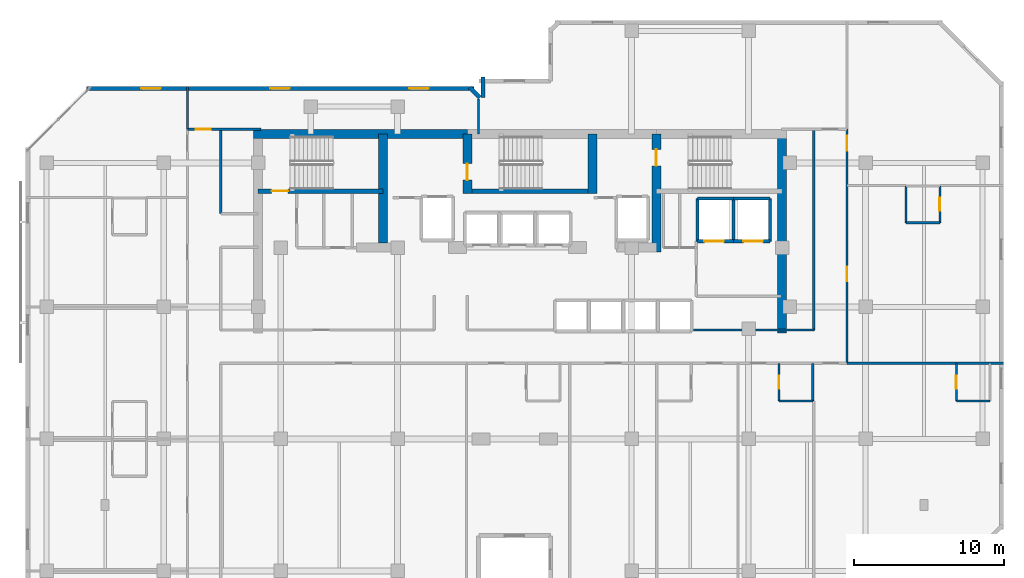
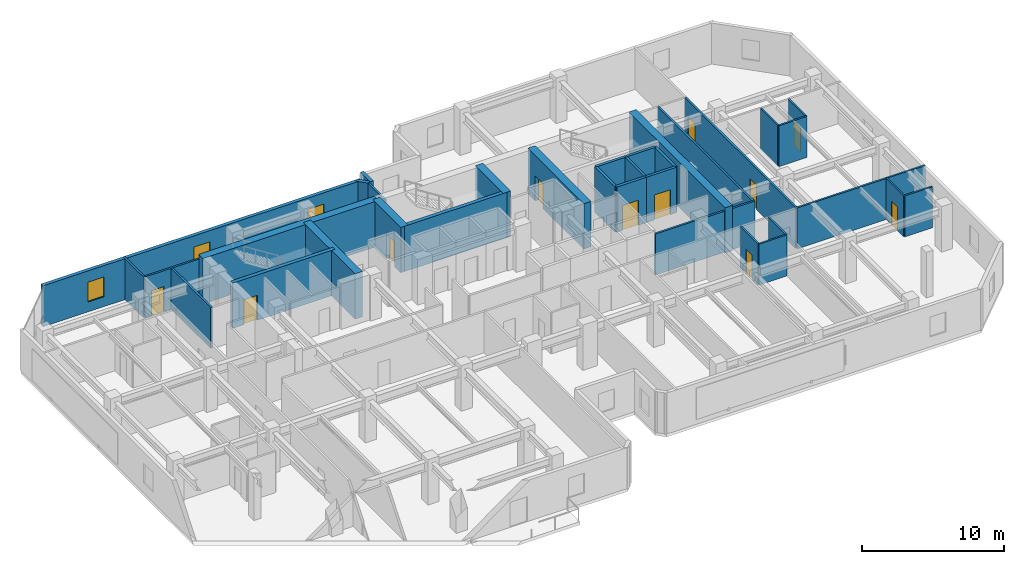
# One storey, part 7 of 10: 34 walls, 11 doors, 3 windows, 14 openings.
"""IFC4 building model written with IfcOpenShell, lengths in metres."""

from ifc_helpers import new_model, si_unit, direction, frame, frame_2d, origin, place, context, subcontext, project, spatial, rectangle, extrude, material, layer, layer_set, type_object, element, fill, save


model = new_model("IFC4")

# Units and contexts
model_context = context("Model", 3, precision=1e-05, world=origin(), true_north=direction((0.0, 1.0)))
body_context = subcontext(model_context, "Body", "Model", "MODEL_VIEW")
ifc_project = project(units=[si_unit("LENGTHUNIT", "METRE"), si_unit("AREAUNIT", "SQUARE_METRE"), si_unit("VOLUMEUNIT", "CUBIC_METRE"), si_unit("PLANEANGLEUNIT", "RADIAN"), si_unit("MASSUNIT", "GRAM", prefix="KILO")], contexts=[model_context])

# Site, building, storey
site_placement = place(None, origin())
site = spatial("IfcSite", under=ifc_project, at=site_placement, CompositionType="ELEMENT")
building_placement = place(site_placement, origin())
building = spatial("IfcBuilding", under=site, at=building_placement, Name="Kestravale Grand Hotel", CompositionType="ELEMENT")
storey_placement = place(building_placement, frame((0.0, 0.0, 236.5)))
storey = spatial("IfcBuildingStorey", under=building, at=storey_placement, Name="L59", CompositionType="ELEMENT", Elevation=236.5)

# Walls
ifc_material_1 = material(Name="Concrete f'c 50 MPa", Category="concrete")
ifc_layer_1 = layer(ifc_material_1, 0.60009765625)
ifc_layer_set_1 = layer_set([ifc_layer_1], Name="EW-CORE-600")
wall_type_1 = type_object("IfcWallType", Name="EW-CORE-600", PredefinedType="SHEAR", material=ifc_layer_set_1)
wall_1_placement = place(storey_placement, frame((21.60009765625, 40.320068359375, 0.0), z_axis=(0.0, 0.0, 1.0), x_axis=(1.0, 0.0, 0.0)))
element("IfcWall", 1, at=wall_1_placement, inside=storey, type_object=wall_type_1, Name="L59 core shear wall N1", PredefinedType="SHEAR", context=body_context, shape_type="SweptSolid", body=[
    extrude(rectangle(XDim=14.25, YDim=0.60009765625, at=frame_2d((7.125, 0.0))), origin(), (0.0, 0.0, 1.0), 3.89990234375),
])
wall_2_placement = place(storey_placement, frame((56.820068359375, 27.050048828125, 0.0), z_axis=(0.0, 0.0, 1.0), x_axis=(0.0, 1.0, 0.0)))
element("IfcWall", 2, at=wall_2_placement, inside=storey, type_object=wall_type_1, Name="L59 core shear wall E1", PredefinedType="SHEAR", context=body_context, shape_type="SweptSolid", body=[
    extrude(rectangle(XDim=13.570068359375, YDim=0.60009765625, at=frame_2d((6.78515625, 0.0))), origin(), (0.0, 0.0, 1.0), 3.89990234375),
])
wall_3_placement = place(storey_placement, frame((30.219970703125, 33.050048828125, 0.0), z_axis=(0.0, 0.0, 1.0), x_axis=(0.0, 1.0, 0.0)))
element("IfcWall", 3, at=wall_3_placement, inside=storey, type_object=wall_type_1, Name="L59 core shear wall X1", PredefinedType="SHEAR", context=body_context, shape_type="SweptSolid", body=[
    extrude(rectangle(XDim=7.27001953125, YDim=0.60009765625, at=frame_2d((3.635009765625, 0.0))), origin(), (0.0, 0.0, 1.0), 3.89990234375),
])

# Wall, opening, door
wall_4_placement = place(storey_placement, frame((35.85009765625, 36.3701171875, 0.0), z_axis=(0.0, 0.0, 1.0), x_axis=(0.0, 1.0, 0.0)))
wall_4 = element("IfcWall", 4, at=wall_4_placement, inside=storey, type_object=wall_type_1, Name="L59 core shear wall X2", PredefinedType="SHEAR", context=body_context, shape_type="SweptSolid", body=[
    extrude(rectangle(XDim=3.949951171875, YDim=0.60009765625, at=frame_2d((1.97509765625, 0.0))), origin(), (0.0, 0.0, 1.0), 3.89990234375),
])
opening_1_placement = place(wall_4_placement, frame((0.8798828125, 0.0, 0.0)))
opening_1 = element("IfcOpeningElement", 5, at=opening_1_placement, cuts=wall_4, Name="Opening D-ST-1100", PredefinedType="OPENING", context=body_context, shape_type="SweptSolid", body=[
    extrude(rectangle(XDim=1.10009765625, YDim=2.14990234375, at=frame_2d((0.550048828125, 1.074951171875))), frame((0.0, 0.31005859375, 0.0), z_axis=(0.0, -1.0, 0.0), x_axis=(1.0, 0.0, 0.0)), (0.0, 0.0, 1.0), 0.6201171875),
])
ifc_material_2 = material(Name="Galvanised 90-minute fire-rated steel stair door", Category="steel")
door_type_1 = type_object("IfcDoorType", Name="D-ST-1100", OperationType="NOTDEFINED", PredefinedType="DOOR", material=ifc_material_2)
door_1_placement = place(opening_1_placement, origin())
door_1 = element("IfcDoor", 6, at=door_1_placement, inside=storey, type_object=door_type_1, Name="L59 Stair ST-2 FSAE fire door", OperationType="SINGLE_SWING_RIGHT", OverallHeight=2.14990234375, OverallWidth=1.10009765625, PredefinedType="DOOR", context=body_context, shape_type="SweptSolid", body=[
    extrude(rectangle(XDim=1.10009765625, YDim=2.14990234375, at=frame_2d((0.550048828125, 1.074951171875))), frame((0.0, 0.02490234375, 0.0), z_axis=(0.0, -1.0, 0.0), x_axis=(1.0, 0.0, 0.0)), (0.0, 0.0, 1.0), 0.050048828125),
])
fill(opening_1, door_1)

# Wall
wall_5_placement = place(storey_placement, frame((44.179931640625, 36.3701171875, 0.0), z_axis=(0.0, 0.0, 1.0), x_axis=(0.0, 1.0, 0.0)))
element("IfcWall", 7, at=wall_5_placement, inside=storey, type_object=wall_type_1, Name="L59 core shear wall X3", PredefinedType="SHEAR", context=body_context, shape_type="SweptSolid", body=[
    extrude(rectangle(XDim=3.949951171875, YDim=0.60009765625, at=frame_2d((1.97509765625, 0.0))), origin(), (0.0, 0.0, 1.0), 3.89990234375),
])

# Wall, opening, door
wall_6_placement = place(storey_placement, frame((48.449951171875, 32.449951171875, 0.0), z_axis=(0.0, 0.0, 1.0), x_axis=(0.0, 1.0, 0.0)))
wall_6 = element("IfcWall", 8, at=wall_6_placement, inside=storey, type_object=wall_type_1, Name="L59 core shear wall X4", PredefinedType="SHEAR", context=body_context, shape_type="SweptSolid", body=[
    extrude(rectangle(XDim=7.8701171875, YDim=0.60009765625, at=frame_2d((3.93505859375, 0.0))), origin(), (0.0, 0.0, 1.0), 3.89990234375),
])
opening_2_placement = place(wall_6_placement, frame((5.75, 0.0, 0.0)))
opening_2 = element("IfcOpeningElement", 9, at=opening_2_placement, cuts=wall_6, Name="Opening D-ST-1100", PredefinedType="OPENING", context=body_context, shape_type="SweptSolid", body=[
    extrude(rectangle(XDim=1.10009765625, YDim=2.14990234375, at=frame_2d((0.550048828125, 1.074951171875))), frame((0.0, 0.31005859375, 0.0), z_axis=(0.0, -1.0, 0.0), x_axis=(1.0, 0.0, 0.0)), (0.0, 0.0, 1.0), 0.6201171875),
])
door_2_placement = place(opening_2_placement, origin())
door_2 = element("IfcDoor", 10, at=door_2_placement, inside=storey, type_object=door_type_1, Name="L59 Stair ST-3 FSAE fire door", OperationType="SINGLE_SWING_RIGHT", OverallHeight=2.14990234375, OverallWidth=1.10009765625, PredefinedType="DOOR", context=body_context, shape_type="SweptSolid", body=[
    extrude(rectangle(XDim=1.10009765625, YDim=2.14990234375, at=frame_2d((0.550048828125, 1.074951171875))), frame((0.0, 0.02490234375, 0.0), z_axis=(0.0, -1.0, 0.0), x_axis=(1.0, 0.0, 0.0)), (0.0, 0.0, 1.0), 0.050048828125),
])
fill(opening_2, door_2)

# Walls
ifc_material_3 = material(Name="Precast concrete f'c 45 MPa", Category="concrete")
ifc_layer_2 = layer(ifc_material_3, 0.280029296875)
ifc_layer_set_2 = layer_set([ifc_layer_2], Name="EW-PREC-280")
wall_type_2 = type_object("IfcWallType", Name="EW-PREC-280", PredefinedType="SOLIDWALL", material=ifc_layer_set_2)
wall_7_placement = place(storey_placement, frame((36.889892578125, 44.139892578125, 0.0), z_axis=(0.0, 0.0, 1.0), x_axis=(0.0, -1.0, 0.0)))
element("IfcWall", 11, at=wall_7_placement, inside=storey, type_object=wall_type_2, Name="L59 fluted precast facade wall 15", PredefinedType="SOLIDWALL", context=body_context, shape_type="SweptSolid", body=[
    extrude(rectangle(XDim=1.3798828125, YDim=0.280029296875, at=frame_2d((0.68994140625, 0.0))), origin(), (0.0, 0.0, 1.0), 3.52001953125),
])
wall_8_placement = place(storey_placement, frame((36.67919921875, 42.772705078125, 0.0), z_axis=(0.0, 0.0, 1.0), x_axis=(-0.707106781187, 0.707106781187, 0.0)))
element("IfcWall", 12, at=wall_8_placement, inside=storey, type_object=wall_type_2, Name="L59 fluted precast facade wall 16", PredefinedType="SOLIDWALL", context=body_context, shape_type="SweptSolid", body=[
    extrude(rectangle(XDim=0.928466796875, YDim=0.280029296875, at=frame_2d((0.46435546875, 0.0))), origin(), (0.0, 0.0, 1.0), 3.52001953125),
])

# Wall, openings, windows
wall_9_placement = place(storey_placement, frame((36.2900390625, 43.360107421875, 0.0), z_axis=(0.0, 0.0, 1.0), x_axis=(-1.0, 0.0, 0.0)))
wall_9 = element("IfcWall", 13, at=wall_9_placement, inside=storey, type_object=wall_type_2, Name="L59 fluted precast facade wall 17", PredefinedType="SOLIDWALL", context=body_context, shape_type="SweptSolid", body=[
    extrude(rectangle(XDim=25.830078125, YDim=0.280029296875, at=frame_2d((12.9150390625, 0.0))), origin(), (0.0, 0.0, 1.0), 3.52001953125),
])
opening_3_placement = place(wall_9_placement, frame((3.0048828125, 0.0, 0.85009765625)))
opening_3 = element("IfcOpeningElement", 14, at=opening_3_placement, cuts=wall_9, Name="Opening W-GUEST-1300", PredefinedType="OPENING", context=body_context, shape_type="SweptSolid", body=[
    extrude(rectangle(XDim=1.300048828125, YDim=1.699951171875, at=frame_2d((0.64990234375, 0.85009765625))), frame((0.0, 0.14990234375, 0.0), z_axis=(0.0, -1.0, 0.0), x_axis=(1.0, 0.0, 0.0)), (0.0, 0.0, 1.0), 0.300048828125),
])
opening_4_placement = place(wall_9_placement, frame((12.264892578125, 0.0, 0.85009765625)))
opening_4 = element("IfcOpeningElement", 15, at=opening_4_placement, cuts=wall_9, Name="Opening W-GUEST-1300", PredefinedType="OPENING", context=body_context, shape_type="SweptSolid", body=[
    extrude(rectangle(XDim=1.300048828125, YDim=1.699951171875, at=frame_2d((0.64990234375, 0.85009765625))), frame((0.0, 0.14990234375, 0.0), z_axis=(0.0, -1.0, 0.0), x_axis=(1.0, 0.0, 0.0)), (0.0, 0.0, 1.0), 0.300048828125),
])
opening_5_placement = place(wall_9_placement, frame((20.875, 0.0, 0.85009765625)))
opening_5 = element("IfcOpeningElement", 16, at=opening_5_placement, cuts=wall_9, Name="Opening W-GUEST-1300", PredefinedType="OPENING", context=body_context, shape_type="SweptSolid", body=[
    extrude(rectangle(XDim=1.300048828125, YDim=1.699951171875, at=frame_2d((0.64990234375, 0.85009765625))), frame((0.0, 0.14990234375, 0.0), z_axis=(0.0, -1.0, 0.0), x_axis=(1.0, 0.0, 0.0)), (0.0, 0.0, 1.0), 0.300048828125),
])
ifc_material_4 = material(Name="Insulated low-E double glazing in aluminium frame", Category="aluminium")
window_type = type_object("IfcWindowType", Name="W-GUEST-1300", PartitioningType="SINGLE_PANEL", PredefinedType="WINDOW", material=ifc_material_4)
window_1_placement = place(opening_3_placement, origin())
window_1 = element("IfcWindow", 17, at=window_1_placement, inside=storey, type_object=window_type, Name="L59 exterior window 17.1", OverallHeight=1.699951171875, OverallWidth=1.300048828125, PartitioningType="SINGLE_PANEL", PredefinedType="WINDOW", context=body_context, shape_type="SweptSolid", body=[
    extrude(rectangle(XDim=1.300048828125, YDim=1.699951171875, at=frame_2d((0.64990234375, 0.85009765625))), frame((0.0, 0.030029296875, 0.0), z_axis=(0.0, -1.0, 0.0), x_axis=(1.0, 0.0, 0.0)), (0.0, 0.0, 1.0), 0.06005859375),
])
fill(opening_3, window_1)
window_2_placement = place(opening_4_placement, origin())
window_2 = element("IfcWindow", 18, at=window_2_placement, inside=storey, type_object=window_type, Name="L59 exterior window 17.2", OverallHeight=1.699951171875, OverallWidth=1.300048828125, PartitioningType="SINGLE_PANEL", PredefinedType="WINDOW", context=body_context, shape_type="SweptSolid", body=[
    extrude(rectangle(XDim=1.300048828125, YDim=1.699951171875, at=frame_2d((0.64990234375, 0.85009765625))), frame((0.0, 0.030029296875, 0.0), z_axis=(0.0, -1.0, 0.0), x_axis=(1.0, 0.0, 0.0)), (0.0, 0.0, 1.0), 0.06005859375),
])
fill(opening_4, window_2)
window_3_placement = place(opening_5_placement, origin())
window_3 = element("IfcWindow", 19, at=window_3_placement, inside=storey, type_object=window_type, Name="L59 exterior window 17.3", OverallHeight=1.699951171875, OverallWidth=1.300048828125, PartitioningType="SINGLE_PANEL", PredefinedType="WINDOW", context=body_context, shape_type="SweptSolid", body=[
    extrude(rectangle(XDim=1.300048828125, YDim=1.699951171875, at=frame_2d((0.64990234375, 0.85009765625))), frame((0.0, 0.030029296875, 0.0), z_axis=(0.0, -1.0, 0.0), x_axis=(1.0, 0.0, 0.0)), (0.0, 0.0, 1.0), 0.06005859375),
])
fill(opening_5, window_3)

# Wall, opening, door
ifc_material_5 = material(Name="Concrete f'c 45 MPa", Category="concrete")
ifc_layer_3 = layer(ifc_material_5, 0.300048828125)
ifc_layer_set_3 = layer_set([ifc_layer_3], Name="EW-STAIR-300")
wall_type_3 = type_object("IfcWallType", Name="EW-STAIR-300", PredefinedType="SHEAR", material=ifc_layer_set_3)
wall_10_placement = place(storey_placement, frame((21.89990234375, 36.52001953125, 0.0), z_axis=(0.0, 0.0, 1.0), x_axis=(1.0, 0.0, 0.0)))
wall_10 = element("IfcWall", 20, at=wall_10_placement, inside=storey, type_object=wall_type_3, Name="L59 stair enclosure shear wall SST1", PredefinedType="SHEAR", context=body_context, shape_type="SweptSolid", body=[
    extrude(rectangle(XDim=8.320068359375, YDim=0.300048828125, at=frame_2d((4.16015625, 0.0))), origin(), (0.0, 0.0, 1.0), 3.89990234375),
])
opening_6_placement = place(wall_10_placement, frame((0.89990234375, 0.0, 0.0)))
opening_6 = element("IfcOpeningElement", 21, at=opening_6_placement, cuts=wall_10, Name="Opening D-ST-1100", PredefinedType="OPENING", context=body_context, shape_type="SweptSolid", body=[
    extrude(rectangle(XDim=1.10009765625, YDim=2.14990234375, at=frame_2d((0.550048828125, 1.074951171875))), frame((0.0, 0.159912109375, 0.0), z_axis=(0.0, -1.0, 0.0), x_axis=(1.0, 0.0, 0.0)), (0.0, 0.0, 1.0), 0.320068359375),
])
door_3_placement = place(opening_6_placement, origin())
door_3 = element("IfcDoor", 22, at=door_3_placement, inside=storey, type_object=door_type_1, Name="L59 Stair ST-1 fire door", OperationType="SINGLE_SWING_RIGHT", OverallHeight=2.14990234375, OverallWidth=1.10009765625, PredefinedType="DOOR", context=body_context, shape_type="SweptSolid", body=[
    extrude(rectangle(XDim=1.10009765625, YDim=2.14990234375, at=frame_2d((0.550048828125, 1.074951171875))), frame((0.0, 0.02490234375, 0.0), z_axis=(0.0, -1.0, 0.0), x_axis=(1.0, 0.0, 0.0)), (0.0, 0.0, 1.0), 0.050048828125),
])
fill(opening_6, door_3)

# Walls
wall_11_placement = place(storey_placement, frame((35.85009765625, 36.52001953125, 0.0), z_axis=(0.0, 0.0, 1.0), x_axis=(1.0, 0.0, 0.0)))
element("IfcWall", 23, at=wall_11_placement, inside=storey, type_object=wall_type_3, Name="L59 stair enclosure shear wall SST2", PredefinedType="SHEAR", context=body_context, shape_type="SweptSolid", body=[
    extrude(rectangle(XDim=8.329833984375, YDim=0.300048828125, at=frame_2d((4.1650390625, 0.0))), origin(), (0.0, 0.0, 1.0), 3.89990234375),
])
ifc_material_6 = material(Name="Acoustic fire-rated gypsum board partition", Category="other")
ifc_layer_4 = layer(ifc_material_6, 0.159912109375)
ifc_layer_set_4 = layer_set([ifc_layer_4], Name="IW-CORR-160")
wall_type_4 = type_object("IfcWallType", Name="IW-CORR-160", PredefinedType="PARTITIONING", material=ifc_layer_set_4)
wall_12_placement = place(storey_placement, frame((50.919921875, 27.260009765625, 0.0), z_axis=(0.0, 0.0, 1.0), x_axis=(1.0, 0.0, 0.0)))
element("IfcWall", 24, at=wall_12_placement, inside=storey, type_object=wall_type_4, Name="W-L59-CE-NE", PredefinedType="PARTITIONING", context=body_context, shape_type="SweptSolid", body=[
    extrude(rectangle(XDim=8.080078125, YDim=0.159912109375, at=frame_2d((4.0400390625, 0.0))), origin(), (0.0, 0.0, 1.0), 3.52001953125),
])
wall_13_placement = place(storey_placement, frame((19.409912109375, 35.02001953125, 0.0), z_axis=(0.0, 0.0, 1.0), x_axis=(0.0, 1.0, 0.0)))
element("IfcWall", 25, at=wall_13_placement, inside=storey, type_object=wall_type_4, Name="W-L59-SW-EN", PredefinedType="PARTITIONING", context=body_context, shape_type="SweptSolid", body=[
    extrude(rectangle(XDim=5.6298828125, YDim=0.159912109375, at=frame_2d((2.81494140625, 0.0))), origin(), (0.0, 0.0, 1.0), 3.52001953125),
])

# Wall, openings, doors
wall_14_placement = place(storey_placement, frame((61.159912109375, 25.10009765625, 0.0), z_axis=(0.0, 0.0, 1.0), x_axis=(0.0, 1.0, 0.0)))
wall_14 = element("IfcWall", 26, at=wall_14_placement, inside=storey, type_object=wall_type_4, Name="W-L59-SE-E", PredefinedType="PARTITIONING", context=body_context, shape_type="SweptSolid", body=[
    extrude(rectangle(XDim=15.5498046875, YDim=0.159912109375, at=frame_2d((7.77490234375, 0.0))), origin(), (0.0, 0.0, 1.0), 3.52001953125),
])
opening_7_placement = place(wall_14_placement, frame((5.425048828125, 0.0, 0.0)))
opening_7 = element("IfcOpeningElement", 27, at=opening_7_placement, cuts=wall_14, Name="Opening D-GUEST-950", PredefinedType="OPENING", context=body_context, shape_type="SweptSolid", body=[
    extrude(rectangle(XDim=0.949951171875, YDim=2.10009765625, at=frame_2d((0.47509765625, 1.050048828125))), frame((0.0, 0.08984375, 0.0), z_axis=(0.0, -1.0, 0.0), x_axis=(1.0, 0.0, 0.0)), (0.0, 0.0, 1.0), 0.179931640625),
])
opening_8_placement = place(wall_14_placement, frame((14.110107421875, 0.0, 0.0)))
opening_8 = element("IfcOpeningElement", 28, at=opening_8_placement, cuts=wall_14, Name="Opening D-GUEST-1000", PredefinedType="OPENING", context=body_context, shape_type="SweptSolid", body=[
    extrude(rectangle(XDim=1.0, YDim=2.14990234375, at=frame_2d((0.5, 1.074951171875))), frame((0.0, 0.08984375, 0.0), z_axis=(0.0, -1.0, 0.0), x_axis=(1.0, 0.0, 0.0)), (0.0, 0.0, 1.0), 0.179931640625),
])
ifc_material_7 = material(Name="Accessible walnut veneer hotel entrance fire door", Category="wood")
door_type_2 = type_object("IfcDoorType", Name="D-GUEST-1000", OperationType="NOTDEFINED", PredefinedType="DOOR", material=ifc_material_7)
door_4_placement = place(opening_8_placement, origin())
door_4 = element("IfcDoor", 29, at=door_4_placement, inside=storey, type_object=door_type_2, Name="D-L59-AMEW", OperationType="SINGLE_SWING_LEFT", OverallHeight=2.14990234375, OverallWidth=1.0, PredefinedType="DOOR", context=body_context, shape_type="SweptSolid", body=[
    extrude(rectangle(XDim=1.0, YDim=2.14990234375, at=frame_2d((0.5, 1.074951171875))), frame((0.0, 0.02490234375, 0.0), z_axis=(0.0, -1.0, 0.0), x_axis=(1.0, 0.0, 0.0)), (0.0, 0.0, 1.0), 0.050048828125),
])
fill(opening_8, door_4)
ifc_material_8 = material(Name="Walnut veneer hotel guestroom entrance fire door", Category="wood")
door_type_3 = type_object("IfcDoorType", Name="D-GUEST-950", OperationType="NOTDEFINED", PredefinedType="DOOR", material=ifc_material_8)
door_5_placement = place(opening_7_placement, origin())
door_5 = element("IfcDoor", 30, at=door_5_placement, inside=storey, type_object=door_type_3, Name="D-L59-U09-ENT", OperationType="SINGLE_SWING_RIGHT", OverallHeight=2.10009765625, OverallWidth=0.949951171875, PredefinedType="DOOR", context=body_context, shape_type="SweptSolid", body=[
    extrude(rectangle(XDim=0.949951171875, YDim=2.10009765625, at=frame_2d((0.47509765625, 1.050048828125))), frame((0.0, 0.02490234375, 0.0), z_axis=(0.0, -1.0, 0.0), x_axis=(1.0, 0.0, 0.0)), (0.0, 0.0, 1.0), 0.050048828125),
])
fill(opening_7, door_5)

# Wall
wall_15_placement = place(storey_placement, frame((58.93994140625, 27.260009765625, 0.0), z_axis=(0.0, 0.0, 1.0), x_axis=(0.0, 1.0, 0.0)))
element("IfcWall", 31, at=wall_15_placement, inside=storey, type_object=wall_type_4, Name="W-L59-SE-WU", PredefinedType="PARTITIONING", context=body_context, shape_type="SweptSolid", body=[
    extrude(rectangle(XDim=13.389892578125, YDim=0.159912109375, at=frame_2d((6.69482421875, 0.0))), origin(), (0.0, 0.0, 1.0), 3.52001953125),
])

# Wall, opening, door
ifc_material_9 = material(Name="Moisture-resistant tile-backer plumbing chase wall", Category="other")
ifc_layer_5 = layer(ifc_material_9, 0.139892578125)
ifc_layer_set_5 = layer_set([ifc_layer_5], Name="IW-PLB-140")
wall_type_5 = type_object("IfcWallType", Name="IW-PLB-140", PredefinedType="PLUMBINGWALL", material=ifc_layer_set_5)
wall_16_placement = place(storey_placement, frame((56.6298828125, 22.530029296875, 0.0), z_axis=(0.0, 0.0, 1.0), x_axis=(0.0, 1.0, 0.0)))
wall_16 = element("IfcWall", 32, at=wall_16_placement, inside=storey, type_object=wall_type_5, Name="W-L59-U03-BW", PredefinedType="PLUMBINGWALL", context=body_context, shape_type="SweptSolid", body=[
    extrude(rectangle(XDim=2.489990234375, YDim=0.139892578125, at=frame_2d((1.2451171875, 0.0))), origin(), (0.0, 0.0, 1.0), 3.52001953125),
])
opening_9_placement = place(wall_16_placement, frame((0.804931640625, 0.0, 0.0)))
opening_9 = element("IfcOpeningElement", 33, at=opening_9_placement, cuts=wall_16, Name="Opening D-BATH-880", PredefinedType="OPENING", context=body_context, shape_type="SweptSolid", body=[
    extrude(rectangle(XDim=0.8798828125, YDim=2.050048828125, at=frame_2d((0.43994140625, 1.02490234375))), frame((0.0, 0.079833984375, 0.0), z_axis=(0.0, -1.0, 0.0), x_axis=(1.0, 0.0, 0.0)), (0.0, 0.0, 1.0), 0.159912109375),
])
ifc_material_10 = material(Name="Moisture-sealed walnut en-suite bathroom door", Category="wood")
door_type_4 = type_object("IfcDoorType", Name="D-BATH-880", OperationType="NOTDEFINED", PredefinedType="DOOR", material=ifc_material_10)
door_6_placement = place(opening_9_placement, origin())
door_6 = element("IfcDoor", 34, at=door_6_placement, inside=storey, type_object=door_type_4, Name="D-L59-U03-BATH", OperationType="SINGLE_SWING_RIGHT", OverallHeight=2.050048828125, OverallWidth=0.8798828125, PredefinedType="DOOR", context=body_context, shape_type="SweptSolid", body=[
    extrude(rectangle(XDim=0.8798828125, YDim=2.050048828125, at=frame_2d((0.43994140625, 1.02490234375))), frame((0.0, 0.02490234375, 0.0), z_axis=(0.0, -1.0, 0.0), x_axis=(1.0, 0.0, 0.0)), (0.0, 0.0, 1.0), 0.050048828125),
])
fill(opening_9, door_6)

# Walls
wall_17_placement = place(storey_placement, frame((58.8798828125, 22.530029296875, 0.0), z_axis=(0.0, 0.0, 1.0), x_axis=(0.0, 1.0, 0.0)))
element("IfcWall", 35, at=wall_17_placement, inside=storey, type_object=wall_type_5, Name="W-L59-U03-BE", PredefinedType="PLUMBINGWALL", context=body_context, shape_type="SweptSolid", body=[
    extrude(rectangle(XDim=2.489990234375, YDim=0.139892578125, at=frame_2d((1.2451171875, 0.0))), origin(), (0.0, 0.0, 1.0), 3.52001953125),
])
wall_18_placement = place(storey_placement, frame((56.6298828125, 22.530029296875, 0.0), z_axis=(0.0, 0.0, 1.0), x_axis=(1.0, 0.0, 0.0)))
element("IfcWall", 36, at=wall_18_placement, inside=storey, type_object=wall_type_5, Name="W-L59-U03-BS", PredefinedType="PLUMBINGWALL", context=body_context, shape_type="SweptSolid", body=[
    extrude(rectangle(XDim=2.25, YDim=0.139892578125, at=frame_2d((1.125, 0.0))), origin(), (0.0, 0.0, 1.0), 3.52001953125),
])

# Wall, opening, door
wall_19_placement = place(storey_placement, frame((68.449951171875, 22.530029296875, 0.0), z_axis=(0.0, 0.0, 1.0), x_axis=(0.0, 1.0, 0.0)))
wall_19 = element("IfcWall", 37, at=wall_19_placement, inside=storey, type_object=wall_type_5, Name="W-L59-U08-BW", PredefinedType="PLUMBINGWALL", context=body_context, shape_type="SweptSolid", body=[
    extrude(rectangle(XDim=2.489990234375, YDim=0.139892578125, at=frame_2d((1.2451171875, 0.0))), origin(), (0.0, 0.0, 1.0), 3.52001953125),
])
opening_10_placement = place(wall_19_placement, frame((0.804931640625, 0.0, 0.0)))
opening_10 = element("IfcOpeningElement", 38, at=opening_10_placement, cuts=wall_19, Name="Opening D-BATH-880", PredefinedType="OPENING", context=body_context, shape_type="SweptSolid", body=[
    extrude(rectangle(XDim=0.8798828125, YDim=2.050048828125, at=frame_2d((0.43994140625, 1.02490234375))), frame((0.0, 0.079833984375, 0.0), z_axis=(0.0, -1.0, 0.0), x_axis=(1.0, 0.0, 0.0)), (0.0, 0.0, 1.0), 0.159912109375),
])
door_7_placement = place(opening_10_placement, origin())
door_7 = element("IfcDoor", 39, at=door_7_placement, inside=storey, type_object=door_type_4, Name="D-L59-U08-BATH", OperationType="SINGLE_SWING_LEFT", OverallHeight=2.050048828125, OverallWidth=0.8798828125, PredefinedType="DOOR", context=body_context, shape_type="SweptSolid", body=[
    extrude(rectangle(XDim=0.8798828125, YDim=2.050048828125, at=frame_2d((0.43994140625, 1.02490234375))), frame((0.0, 0.02490234375, 0.0), z_axis=(0.0, -1.0, 0.0), x_axis=(1.0, 0.0, 0.0)), (0.0, 0.0, 1.0), 0.050048828125),
])
fill(opening_10, door_7)

# Walls
wall_20_placement = place(storey_placement, frame((68.449951171875, 22.530029296875, 0.0), z_axis=(0.0, 0.0, 1.0), x_axis=(1.0, 0.0, 0.0)))
element("IfcWall", 40, at=wall_20_placement, inside=storey, type_object=wall_type_5, Name="W-L59-U08-BS", PredefinedType="PLUMBINGWALL", context=body_context, shape_type="SweptSolid", body=[
    extrude(rectangle(XDim=2.25, YDim=0.139892578125, at=frame_2d((1.125, 0.0))), origin(), (0.0, 0.0, 1.0), 3.52001953125),
])
wall_21_placement = place(storey_placement, frame((65.10009765625, 34.409912109375, 0.0), z_axis=(0.0, 0.0, 1.0), x_axis=(0.0, 1.0, 0.0)))
element("IfcWall", 41, at=wall_21_placement, inside=storey, type_object=wall_type_5, Name="W-L59-U09-BW", PredefinedType="PLUMBINGWALL", context=body_context, shape_type="SweptSolid", body=[
    extrude(rectangle(XDim=2.4501953125, YDim=0.139892578125, at=frame_2d((1.22509765625, 0.0))), origin(), (0.0, 0.0, 1.0), 3.52001953125),
])

# Wall, opening, door
wall_22_placement = place(storey_placement, frame((67.35009765625, 34.409912109375, 0.0), z_axis=(0.0, 0.0, 1.0), x_axis=(0.0, 1.0, 0.0)))
wall_22 = element("IfcWall", 42, at=wall_22_placement, inside=storey, type_object=wall_type_5, Name="W-L59-U09-BE", PredefinedType="PLUMBINGWALL", context=body_context, shape_type="SweptSolid", body=[
    extrude(rectangle(XDim=2.4501953125, YDim=0.139892578125, at=frame_2d((1.22509765625, 0.0))), origin(), (0.0, 0.0, 1.0), 3.52001953125),
])
opening_11_placement = place(wall_22_placement, frame((0.784912109375, 0.0, 0.0)))
opening_11 = element("IfcOpeningElement", 43, at=opening_11_placement, cuts=wall_22, Name="Opening D-BATH-880", PredefinedType="OPENING", context=body_context, shape_type="SweptSolid", body=[
    extrude(rectangle(XDim=0.8798828125, YDim=2.050048828125, at=frame_2d((0.43994140625, 1.02490234375))), frame((0.0, 0.079833984375, 0.0), z_axis=(0.0, -1.0, 0.0), x_axis=(1.0, 0.0, 0.0)), (0.0, 0.0, 1.0), 0.159912109375),
])
door_8_placement = place(opening_11_placement, origin())
door_8 = element("IfcDoor", 44, at=door_8_placement, inside=storey, type_object=door_type_4, Name="D-L59-U09-BATH", OperationType="SINGLE_SWING_LEFT", OverallHeight=2.050048828125, OverallWidth=0.8798828125, PredefinedType="DOOR", context=body_context, shape_type="SweptSolid", body=[
    extrude(rectangle(XDim=0.8798828125, YDim=2.050048828125, at=frame_2d((0.43994140625, 1.02490234375))), frame((0.0, 0.02490234375, 0.0), z_axis=(0.0, -1.0, 0.0), x_axis=(1.0, 0.0, 0.0)), (0.0, 0.0, 1.0), 0.050048828125),
])
fill(opening_11, door_8)

# Walls
wall_23_placement = place(storey_placement, frame((65.10009765625, 34.409912109375, 0.0), z_axis=(0.0, 0.0, 1.0), x_axis=(1.0, 0.0, 0.0)))
element("IfcWall", 45, at=wall_23_placement, inside=storey, type_object=wall_type_5, Name="W-L59-U09-BS", PredefinedType="PLUMBINGWALL", context=body_context, shape_type="SweptSolid", body=[
    extrude(rectangle(XDim=2.25, YDim=0.139892578125, at=frame_2d((1.125, 0.0))), origin(), (0.0, 0.0, 1.0), 3.52001953125),
])
ifc_material_11 = material(Name="Concrete f'c 45 MPa", Category="concrete")
ifc_layer_6 = layer(ifc_material_11, 0.199951171875)
ifc_layer_set_6 = layer_set([ifc_layer_6], Name="IW-SHAFT-200")
wall_type_6 = type_object("IfcWallType", Name="IW-SHAFT-200", PredefinedType="SHEAR", material=ifc_layer_set_6)
for number, where, z_axis, x_axis, name in (
    (46, (51.179931640625, 33.169921875, 0.0), (0.0, 0.0, 1.0), (0.0, 1.0, 0.0), "L59 SL-1 west shaft wall"),
    (47, (53.60009765625, 33.169921875, 0.0), (0.0, 0.0, 1.0), (0.0, 1.0, 0.0), "L59 SL-2 west shaft wall"),
    (48, (56.02001953125, 33.169921875, 0.0), (0.0, 0.0, 1.0), (0.0, 1.0, 0.0), "L59 SL-2 east shaft wall"),
):
    element("IfcWall", number, at=place(storey_placement, frame(where, z_axis=z_axis, x_axis=x_axis)), inside=storey, type_object=wall_type_6, Name=name, PredefinedType="SHEAR", context=body_context, shape_type="SweptSolid", body=[
        extrude(rectangle(XDim=2.860107421875, YDim=0.199951171875, at=frame_2d((1.43017578125, 0.0))), origin(), (0.0, 0.0, 1.0), 3.89990234375),
    ])
ifc_material_12 = material(Name="Concrete f'c 45 MPa", Category="concrete")
ifc_layer_7 = layer(ifc_material_12, 0.219970703125)
ifc_layer_set_7 = layer_set([ifc_layer_7], Name="IW-SHAFT-220")
wall_type_7 = type_object("IfcWallType", Name="IW-SHAFT-220", PredefinedType="SHEAR", material=ifc_layer_set_7)
wall_24_placement = place(storey_placement, frame((51.179931640625, 36.030029296875, 0.0), z_axis=(0.0, 0.0, 1.0), x_axis=(1.0, 0.0, 0.0)))
element("IfcWall", 49, at=wall_24_placement, inside=storey, type_object=wall_type_7, Name="L59 SL-1 north shaft wall", PredefinedType="SHEAR", context=body_context, shape_type="SweptSolid", body=[
    extrude(rectangle(XDim=2.420166015625, YDim=0.219970703125, at=frame_2d((1.2099609375, 0.0))), origin(), (0.0, 0.0, 1.0), 3.89990234375),
])

# Wall, opening, door
wall_25_placement = place(storey_placement, frame((51.179931640625, 33.169921875, 0.0), z_axis=(0.0, 0.0, 1.0), x_axis=(1.0, 0.0, 0.0)))
wall_25 = element("IfcWall", 50, at=wall_25_placement, inside=storey, type_object=wall_type_7, Name="L59 SL-1 south shaft wall", PredefinedType="SHEAR", context=body_context, shape_type="SweptSolid", body=[
    extrude(rectangle(XDim=2.420166015625, YDim=0.219970703125, at=frame_2d((1.2099609375, 0.0))), origin(), (0.0, 0.0, 1.0), 3.89990234375),
])
opening_12_placement = place(wall_25_placement, frame((0.469970703125, 0.0, 0.0)))
opening_12 = element("IfcOpeningElement", 51, at=opening_12_placement, cuts=wall_25, Name="Opening LD-SVC-1300", PredefinedType="OPENING", context=body_context, shape_type="SweptSolid", body=[
    extrude(rectangle(XDim=1.300048828125, YDim=2.14990234375, at=frame_2d((0.64990234375, 1.074951171875))), frame((0.0, 0.119873046875, 0.0), z_axis=(0.0, -1.0, 0.0), x_axis=(1.0, 0.0, 0.0)), (0.0, 0.0, 1.0), 0.239990234375),
])
ifc_material_13 = material(Name="Heavy-duty service sliding elevator landing door", Category="steel")
door_type_5 = type_object("IfcDoorType", Name="LD-SVC-1300", OperationType="NOTDEFINED", PredefinedType="DOOR", material=ifc_material_13)
door_9_placement = place(opening_12_placement, origin())
door_9 = element("IfcDoor", 52, at=door_9_placement, inside=storey, type_object=door_type_5, Name="L59 SL-1 elevator landing sliding door", OperationType="DOUBLE_DOOR_SLIDING", OverallHeight=2.14990234375, OverallWidth=1.300048828125, PredefinedType="DOOR", context=body_context, shape_type="SweptSolid", body=[
    extrude(rectangle(XDim=1.300048828125, YDim=2.14990234375, at=frame_2d((0.64990234375, 1.074951171875))), frame((0.0, 0.02490234375, 0.0), z_axis=(0.0, -1.0, 0.0), x_axis=(1.0, 0.0, 0.0)), (0.0, 0.0, 1.0), 0.050048828125),
])
fill(opening_12, door_9)

# Wall
wall_26_placement = place(storey_placement, frame((53.60009765625, 36.030029296875, 0.0), z_axis=(0.0, 0.0, 1.0), x_axis=(1.0, 0.0, 0.0)))
element("IfcWall", 53, at=wall_26_placement, inside=storey, type_object=wall_type_7, Name="L59 SL-2 north shaft wall", PredefinedType="SHEAR", context=body_context, shape_type="SweptSolid", body=[
    extrude(rectangle(XDim=2.419921875, YDim=0.219970703125, at=frame_2d((1.2099609375, 0.0))), origin(), (0.0, 0.0, 1.0), 3.89990234375),
])

# Wall, opening, door
wall_27_placement = place(storey_placement, frame((53.60009765625, 33.169921875, 0.0), z_axis=(0.0, 0.0, 1.0), x_axis=(1.0, 0.0, 0.0)))
wall_27 = element("IfcWall", 54, at=wall_27_placement, inside=storey, type_object=wall_type_7, Name="L59 SL-2 south shaft wall", PredefinedType="SHEAR", context=body_context, shape_type="SweptSolid", body=[
    extrude(rectangle(XDim=2.419921875, YDim=0.219970703125, at=frame_2d((1.2099609375, 0.0))), origin(), (0.0, 0.0, 1.0), 3.89990234375),
])
opening_13_placement = place(wall_27_placement, frame((0.64990234375, 0.0, 0.0)))
opening_13 = element("IfcOpeningElement", 55, at=opening_13_placement, cuts=wall_27, Name="Opening LD-SVC-1300", PredefinedType="OPENING", context=body_context, shape_type="SweptSolid", body=[
    extrude(rectangle(XDim=1.300048828125, YDim=2.14990234375, at=frame_2d((0.64990234375, 1.074951171875))), frame((0.0, 0.119873046875, 0.0), z_axis=(0.0, -1.0, 0.0), x_axis=(1.0, 0.0, 0.0)), (0.0, 0.0, 1.0), 0.239990234375),
])
door_10_placement = place(opening_13_placement, origin())
door_10 = element("IfcDoor", 56, at=door_10_placement, inside=storey, type_object=door_type_5, Name="L59 SL-2 elevator landing sliding door", OperationType="DOUBLE_DOOR_SLIDING", OverallHeight=2.14990234375, OverallWidth=1.300048828125, PredefinedType="DOOR", context=body_context, shape_type="SweptSolid", body=[
    extrude(rectangle(XDim=1.300048828125, YDim=2.14990234375, at=frame_2d((0.64990234375, 1.074951171875))), frame((0.0, 0.02490234375, 0.0), z_axis=(0.0, -1.0, 0.0), x_axis=(1.0, 0.0, 0.0)), (0.0, 0.0, 1.0), 0.050048828125),
])
fill(opening_13, door_10)

ifc_material_14 = material(Name="Double-stud STC 52 acoustic demising partition", Category="other")
ifc_layer_8 = layer(ifc_material_14, 0.14990234375)
ifc_layer_set_8 = layer_set([ifc_layer_8], Name="IW-UNIT-150")
wall_type_8 = type_object("IfcWallType", Name="IW-UNIT-150", PredefinedType="PARTITIONING", material=ifc_layer_set_8)
wall_28_placement = place(storey_placement, frame((17.18994140625, 40.64990234375, 0.0), z_axis=(0.0, 0.0, 1.0), x_axis=(1.0, 0.0, 0.0)))
wall_28 = element("IfcWall", 57, at=wall_28_placement, inside=storey, type_object=wall_type_8, Name="W-L59-SW-N", PredefinedType="PARTITIONING", context=body_context, shape_type="SweptSolid", body=[
    extrude(rectangle(XDim=4.91015625, YDim=0.14990234375, at=frame_2d((2.455078125, 0.0))), origin(), (0.0, 0.0, 1.0), 3.52001953125),
])
opening_14_placement = place(wall_28_placement, frame((0.550048828125, 0.0, 0.0)))
opening_14 = element("IfcOpeningElement", 58, at=opening_14_placement, cuts=wall_28, Name="Opening D-GUEST-1000", PredefinedType="OPENING", context=body_context, shape_type="SweptSolid", body=[
    extrude(rectangle(XDim=1.0, YDim=2.14990234375, at=frame_2d((0.5, 1.074951171875))), frame((0.0, 0.0849609375, 0.0), z_axis=(0.0, -1.0, 0.0), x_axis=(1.0, 0.0, 0.0)), (0.0, 0.0, 1.0), 0.169921875),
])
door_11_placement = place(opening_14_placement, origin())
door_11 = element("IfcDoor", 59, at=door_11_placement, inside=storey, type_object=door_type_2, Name="L59 NW Gallery Door", OperationType="SINGLE_SWING_RIGHT", OverallHeight=2.14990234375, OverallWidth=1.0, PredefinedType="DOOR", context=body_context, shape_type="SweptSolid", body=[
    extrude(rectangle(XDim=1.0, YDim=2.14990234375, at=frame_2d((0.5, 1.074951171875))), frame((0.0, 0.02490234375, 0.0), z_axis=(0.0, -1.0, 0.0), x_axis=(1.0, 0.0, 0.0)), (0.0, 0.0, 1.0), 0.050048828125),
])
fill(opening_14, door_11)

# Walls
wall_29_placement = place(storey_placement, frame((17.18994140625, 40.64990234375, 0.0), z_axis=(0.0, 0.0, 1.0), x_axis=(0.0, 1.0, 0.0)))
element("IfcWall", 60, at=wall_29_placement, inside=storey, type_object=wall_type_8, Name="W-L59-NGW-W", PredefinedType="PARTITIONING", context=body_context, shape_type="SweptSolid", body=[
    extrude(rectangle(XDim=2.830078125, YDim=0.14990234375, at=frame_2d((1.4150390625, 0.0))), origin(), (0.0, 0.0, 1.0), 3.52001953125),
])
wall_30_placement = place(storey_placement, frame((36.60009765625, 40.320068359375, 0.0), z_axis=(0.0, 0.0, 1.0), x_axis=(0.0, 1.0, 0.0)))
element("IfcWall", 61, at=wall_30_placement, inside=storey, type_object=wall_type_8, Name="W-L59-NGM", PredefinedType="PARTITIONING", context=body_context, shape_type="SweptSolid", body=[
    extrude(rectangle(XDim=2.344970703125, YDim=0.14990234375, at=frame_2d((1.17236328125, 0.0))), origin(), (0.0, 0.0, 1.0), 3.52001953125),
])
wall_31_placement = place(storey_placement, frame((61.159912109375, 25.0400390625, 0.0), z_axis=(0.0, 0.0, 1.0), x_axis=(1.0, 0.0, 0.0)))
element("IfcWall", 62, at=wall_31_placement, inside=storey, type_object=wall_type_8, Name="W-L59-SEC-N", PredefinedType="PARTITIONING", context=body_context, shape_type="SweptSolid", body=[
    extrude(rectangle(XDim=10.420166015625, YDim=0.14990234375, at=frame_2d((5.2099609375, 0.0))), origin(), (0.0, 0.0, 1.0), 3.52001953125),
])

save(model, "model.ifc")
